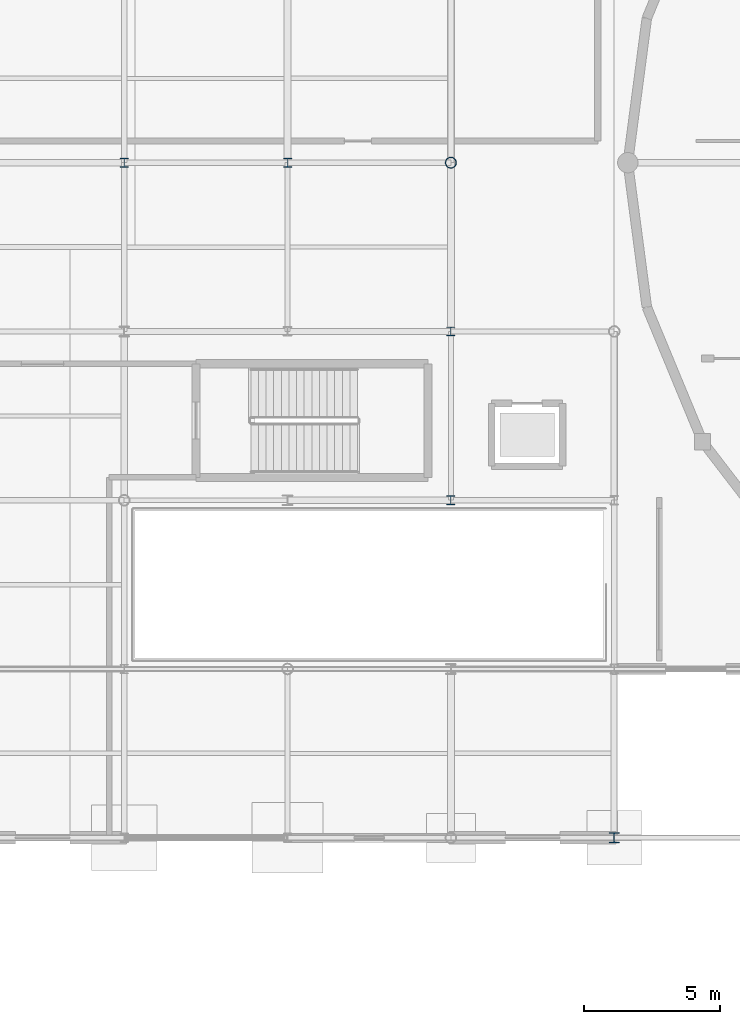
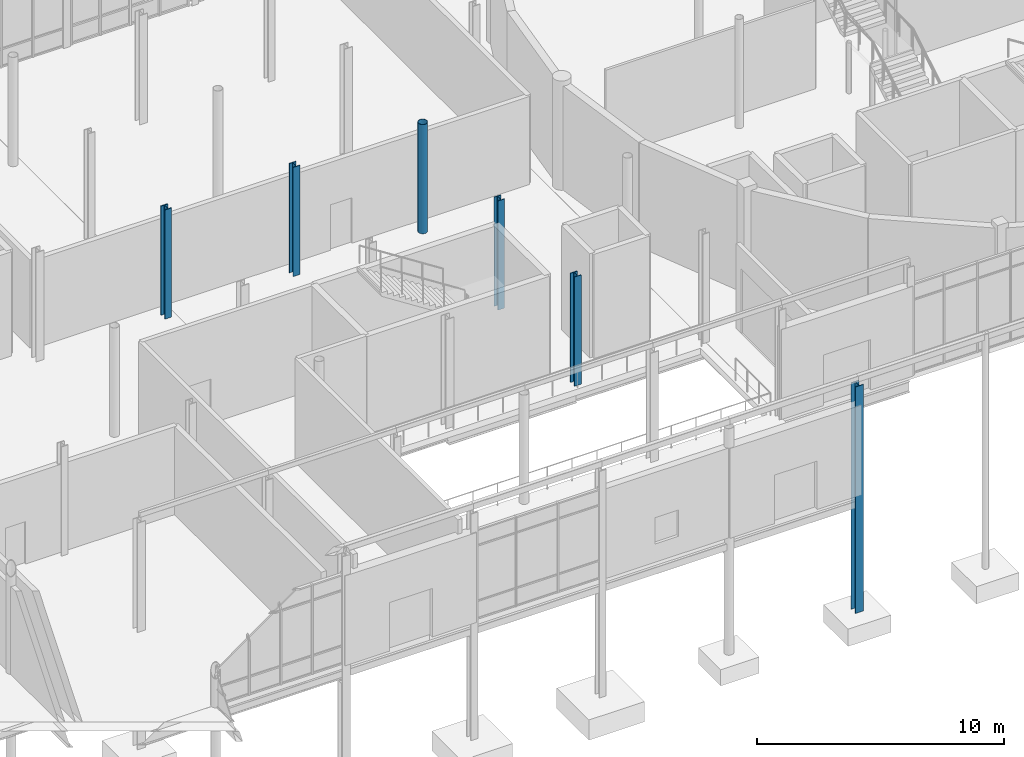
# One storey, part 9 of 98: 6 columns.
"""IFC4 building model written with IfcOpenShell, lengths in metres."""

from ifc_helpers import new_model, si_unit, direction, frame, origin, origin_2d, place, context, subcontext, project, spatial, hollow_circle, i_section, extrude, material, material_profile, profile_set, type_object, element, save


model = new_model("IFC4")

# Units and contexts
model_context = context("Model", 3, precision=1e-05, world=origin(), true_north=direction((0.0, 1.0)))
body_context = subcontext(model_context, "Body", "Model", "MODEL_VIEW")
ifc_project = project(units=[si_unit("LENGTHUNIT", "METRE"), si_unit("AREAUNIT", "SQUARE_METRE"), si_unit("VOLUMEUNIT", "CUBIC_METRE"), si_unit("PLANEANGLEUNIT", "RADIAN"), si_unit("MASSUNIT", "GRAM", prefix="KILO")], contexts=[model_context])

# Site, building, storey
site_placement = place(None, origin())
site = spatial("IfcSite", under=ifc_project, at=site_placement, CompositionType="ELEMENT")
building_placement = place(site_placement, origin())
building = spatial("IfcBuilding", under=site, at=building_placement, Name="Mirzam Square Science Centre", CompositionType="ELEMENT")
storey_placement = place(building_placement, origin())
storey = spatial("IfcBuildingStorey", under=building, at=storey_placement, Name="L00", CompositionType="ELEMENT", Elevation=0.0)

# Columns
ifc_material = material(Name="Steel S355", Category="steel")
ifc_material_profile_1 = material_profile(ifc_material, hollow_circle(Radius=0.203125, WallThickness=0.01611328125, at=origin_2d()), Name="406.4x16.0CHS")
ifc_profile_set_1 = profile_set([ifc_material_profile_1], Name="Steel S355")
column_type_1 = type_object("IfcColumnType", Name="COL-CHS406", PredefinedType="COLUMN", material=ifc_profile_set_1)
column_1_placement = place(storey_placement, frame((54.0, 62.0, 0.0), z_axis=(0.0, 0.0, 1.0), x_axis=(1.0, 0.0, 0.0)))
element("IfcColumn", 1, at=column_1_placement, inside=storey, type_object=column_type_1, Name="L00 column G10-11", PredefinedType="COLUMN", context=body_context, shape_type="SweptSolid", body=[
    extrude(hollow_circle(Radius=0.203125, WallThickness=0.01611328125, at=origin_2d()), origin(), (0.0, 0.0, 1.0), 5.39990234375),
])
ifc_material_profile_2 = material_profile(ifc_material, i_section(OverallWidth=0.314453125, OverallDepth=0.33984375, WebThickness=0.01904296875, FlangeThickness=0.031494140625, FilletRadius=0.01513671875, at=origin_2d()), Name="305x305x198UC")
ifc_profile_set_2 = profile_set([ifc_material_profile_2], Name="Steel S355")
column_type_2 = type_object("IfcColumnType", Name="COL-UC305B", PredefinedType="COLUMN", material=ifc_profile_set_2)
for number, where, z_axis, x_axis, name in (
    (2, (48.0, 62.0, 0.0), (0.0, 0.0, 1.0), (1.0, 0.0, 0.0), "L00 column G09-11"),
    (3, (54.0, 55.800048828125, 0.0), (0.0, 0.0, 1.0), (1.0, 0.0, 0.0), "L00 column G10-10"),
):
    element("IfcColumn", number, at=place(storey_placement, frame(where, z_axis=z_axis, x_axis=x_axis)), inside=storey, type_object=column_type_2, Name=name, PredefinedType="COLUMN", context=body_context, shape_type="SweptSolid", body=[
        extrude(i_section(OverallWidth=0.314453125, OverallDepth=0.33984375, WebThickness=0.01904296875, FlangeThickness=0.031494140625, FilletRadius=0.01513671875, at=origin_2d()), origin(), (0.0, 0.0, 1.0), 5.39990234375),
    ])
ifc_material_profile_3 = material_profile(ifc_material, i_section(OverallWidth=0.318359375, OverallDepth=0.3525390625, WebThickness=0.02294921875, FlangeThickness=0.03759765625, FilletRadius=0.01513671875, at=origin_2d()), Name="305x305x240UC")
ifc_profile_set_3 = profile_set([ifc_material_profile_3], Name="Steel S355")
column_type_3 = type_object("IfcColumnType", Name="COL-UC305C", PredefinedType="COLUMN", material=ifc_profile_set_3)
for number, where, z_axis, x_axis, name in (
    (4, (42.0, 62.0, 0.0), (0.0, 0.0, 1.0), (1.0, 0.0, 0.0), "L00 column G08-11"),
    (5, (54.0, 49.60009765625, 0.0), (0.0, 0.0, 1.0), (1.0, 0.0, 0.0), "L00 column G10-09"),
):
    element("IfcColumn", number, at=place(storey_placement, frame(where, z_axis=z_axis, x_axis=x_axis)), inside=storey, type_object=column_type_3, Name=name, PredefinedType="COLUMN", context=body_context, shape_type="SweptSolid", body=[
        extrude(i_section(OverallWidth=0.318359375, OverallDepth=0.3525390625, WebThickness=0.02294921875, FlangeThickness=0.03759765625, FilletRadius=0.01513671875, at=origin_2d()), origin(), (0.0, 0.0, 1.0), 5.39990234375),
    ])
ifc_material_profile_4 = material_profile(ifc_material, i_section(OverallWidth=0.374755859375, OverallDepth=0.37451171875, WebThickness=0.0166015625, FlangeThickness=0.027099609375, FilletRadius=0.01513671875, at=origin_2d()), Name="356x368x202UC")
ifc_profile_set_4 = profile_set([ifc_material_profile_4], Name="Steel S355")
column_type_4 = type_object("IfcColumnType", Name="COL-UC356A", PredefinedType="COLUMN", material=ifc_profile_set_4)
column_2_placement = place(storey_placement, frame((60.0, 37.199951171875, -5.800048828125), z_axis=(0.0, 0.0, 1.0), x_axis=(1.0, 0.0, 0.0)))
element("IfcColumn", 6, at=column_2_placement, inside=storey, type_object=column_type_4, Name="L00 column G11-07", PredefinedType="COLUMN", context=body_context, shape_type="SweptSolid", body=[
    extrude(i_section(OverallWidth=0.374755859375, OverallDepth=0.37451171875, WebThickness=0.0166015625, FlangeThickness=0.027099609375, FilletRadius=0.01513671875, at=origin_2d()), origin(), (0.0, 0.0, 1.0), 11.199951171875),
])

save(model, "model.ifc")
